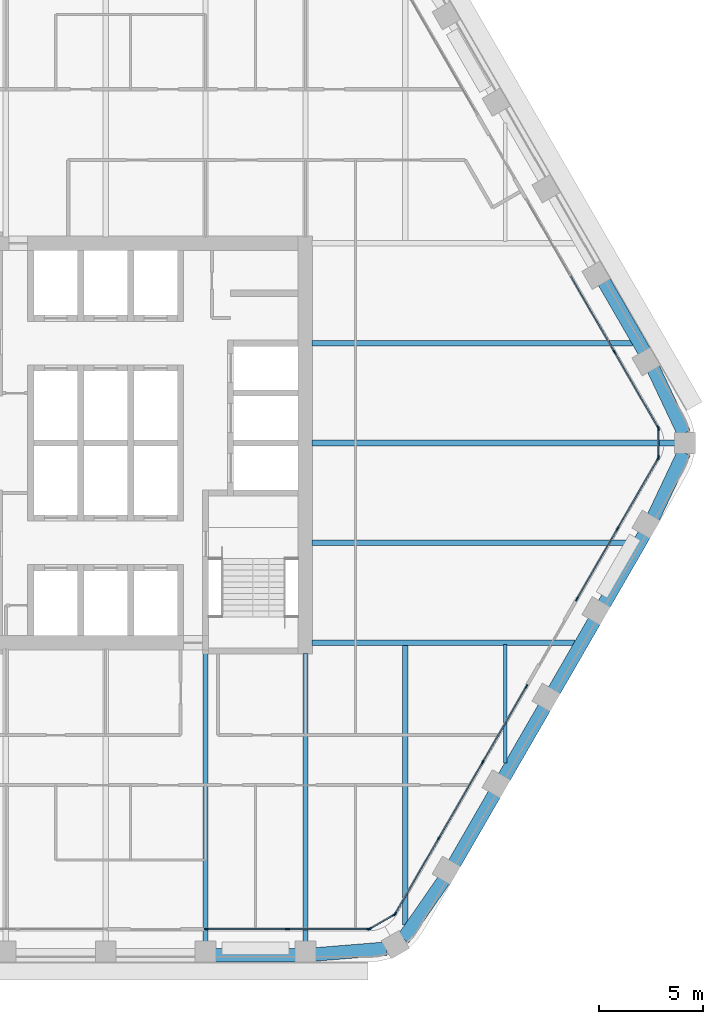
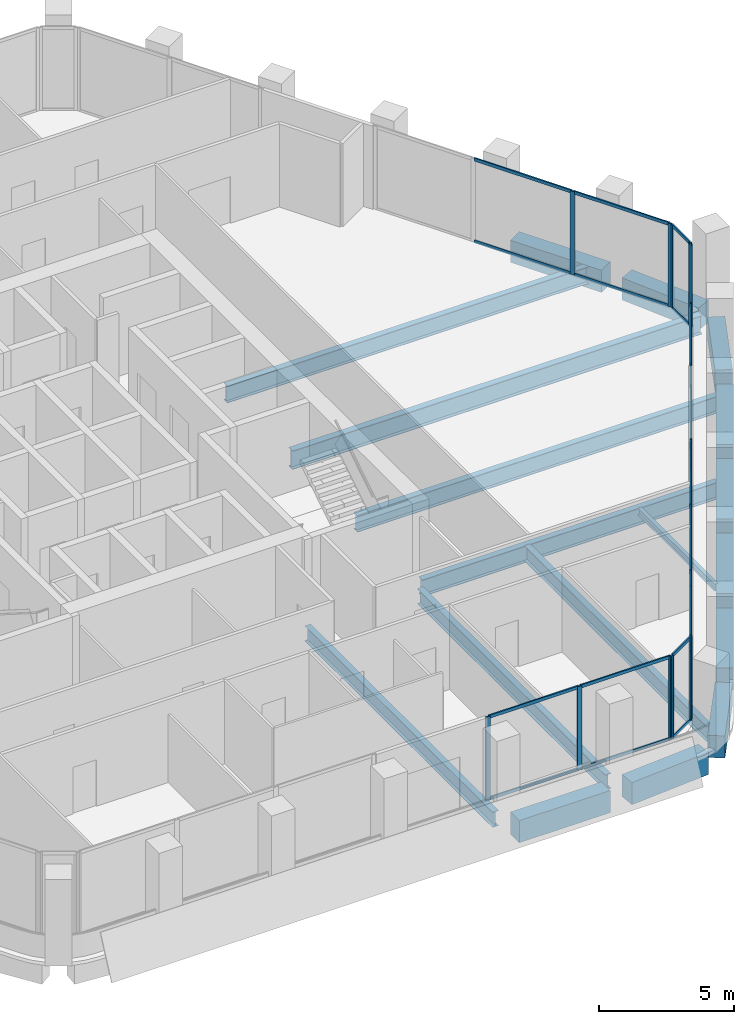
# One storey, part 4 of 15: 38 members, 18 beams, 6 elements without a shape of their own.
"""IFC4 building model written with IfcOpenShell, lengths in metres."""

from ifc_helpers import new_model, si_unit, direction, frame, origin, origin_2d, place, context, subcontext, project, spatial, rectangle, i_section, extrude, material, material_profile, profile_set, type_object, element, aggregate, save


model = new_model("IFC4")

# Units and contexts
model_context = context("Model", 3, precision=1e-05, world=origin(), true_north=direction((0.0, 1.0)))
body_context = subcontext(model_context, "Body", "Model", "MODEL_VIEW")
ifc_project = project(units=[si_unit("LENGTHUNIT", "METRE"), si_unit("AREAUNIT", "SQUARE_METRE"), si_unit("VOLUMEUNIT", "CUBIC_METRE"), si_unit("PLANEANGLEUNIT", "RADIAN"), si_unit("MASSUNIT", "GRAM", prefix="KILO")], contexts=[model_context])

# Site, building, storey
site_placement = place(None, origin())
site = spatial("IfcSite", under=ifc_project, at=site_placement, CompositionType="ELEMENT")
building_placement = place(site_placement, origin())
building = spatial("IfcBuilding", under=site, at=building_placement, Name="Kolab Exchange Tower", CompositionType="ELEMENT")
storey_placement = place(building_placement, frame((0.0, 0.0, 170.0)))
storey = spatial("IfcBuildingStorey", under=building, at=storey_placement, Name="L35", CompositionType="ELEMENT", Elevation=170.0)

# Beams
ifc_material_1 = material(Name="Steel S355", Category="steel")
ifc_material_profile_1 = material_profile(ifc_material_1, i_section(OverallWidth=0.1650390625, OverallDepth=0.31005859375, WebThickness=0.005859375, FlangeThickness=0.009765625, at=origin_2d()), Name="W310X39")
ifc_profile_set_1 = profile_set([ifc_material_profile_1], Name="Steel S355")
beam_type_1 = type_object("IfcBeamType", Name="FLOOR BEAM W310X39", PredefinedType="BEAM", material=ifc_profile_set_1)
beam_1_placement = place(storey_placement, frame((19.199951171875, -15.36767578125, -0.304931640625), z_axis=(0.0, 1.0, 0.0), x_axis=(-1.0, 0.0, 0.0)))
element("IfcBeam", 1, at=beam_1_placement, inside=storey, type_object=beam_type_1, Name="beam/L35/fr/022", PredefinedType="BEAM", context=body_context, shape_type="SweptSolid", body=[
    extrude(i_section(OverallWidth=0.1650390625, OverallDepth=0.31005859375, WebThickness=0.005859375, FlangeThickness=0.009765625, at=origin_2d()), origin(), (0.0, 0.0, 1.0), 5.674072265625),
])
ifc_material_profile_2 = material_profile(ifc_material_1, i_section(OverallWidth=0.25390625, OverallDepth=0.68408203125, WebThickness=0.012451171875, FlangeThickness=0.018798828125, at=origin_2d()), Name="W690X140")
ifc_profile_set_2 = profile_set([ifc_material_profile_2], Name="Steel S355")
beam_type_2 = type_object("IfcBeamType", Name="FLOOR BEAM W690X140", PredefinedType="BEAM", material=ifc_profile_set_2)
for number, where, z_axis, x_axis, name in (
    (2, (4.800048828125, -23.9814453125, -0.491943359375), (0.0, 1.0, 0.0), (-1.0, 0.0, 0.0), "beam/L35/fr/013"),
    (3, (9.60009765625, -23.9814453125, -0.491943359375), (0.0, 1.0, 0.0), (-1.0, 0.0, 0.0), "beam/L35/fr/015"),
):
    element("IfcBeam", number, at=place(storey_placement, frame(where, z_axis=z_axis, x_axis=x_axis)), inside=storey, type_object=beam_type_2, Name=name, PredefinedType="BEAM", context=body_context, shape_type="SweptSolid", body=[
        extrude(i_section(OverallWidth=0.25390625, OverallDepth=0.68408203125, WebThickness=0.012451171875, FlangeThickness=0.018798828125, at=origin_2d()), origin(), (0.0, 0.0, 1.0), 13.871337890625),
    ])
beam_2_placement = place(storey_placement, frame((14.39990234375, -23.15576171875, -0.491943359375), z_axis=(0.0, 1.0, 0.0), x_axis=(-1.0, 0.0, 0.0)))
element("IfcBeam", 4, at=beam_2_placement, inside=storey, type_object=beam_type_2, Name="beam/L35/fr/020", PredefinedType="BEAM", context=body_context, shape_type="SweptSolid", body=[
    extrude(i_section(OverallWidth=0.25390625, OverallDepth=0.68408203125, WebThickness=0.012451171875, FlangeThickness=0.018798828125, at=origin_2d()), origin(), (0.0, 0.0, 1.0), 13.462158203125),
])
ifc_material_profile_3 = material_profile(ifc_material_1, i_section(OverallWidth=0.26708984375, OverallDepth=0.761962890625, WebThickness=0.014404296875, FlangeThickness=0.021484375, at=origin_2d()), Name="W760X173")
ifc_profile_set_3 = profile_set([ifc_material_profile_3], Name="Steel S355")
beam_type_3 = type_object("IfcBeamType", Name="FLOOR BEAM W760X173", PredefinedType="BEAM", material=ifc_profile_set_3)
for number, where, z_axis, x_axis, name in (
    (5, (9.909912109375, -4.800048828125, -0.531005859375), (1.0, 0.0, 0.0), (0.0, 1.0, 0.0), "beam/L35/fr/017"),
    (6, (9.909912109375, 4.800048828125, -0.531005859375), (1.0, 0.0, 0.0), (0.0, 1.0, 0.0), "beam/L35/fr/019"),
):
    element("IfcBeam", number, at=place(storey_placement, frame(where, z_axis=z_axis, x_axis=x_axis)), inside=storey, type_object=beam_type_3, Name=name, PredefinedType="BEAM", context=body_context, shape_type="SweptSolid", body=[
        extrude(i_section(OverallWidth=0.26708984375, OverallDepth=0.761962890625, WebThickness=0.014404296875, FlangeThickness=0.021484375, at=origin_2d()), origin(), (0.0, 0.0, 1.0), 15.408203125),
    ])
ifc_material_profile_4 = material_profile(ifc_material_1, i_section(OverallWidth=0.2919921875, OverallDepth=0.840087890625, WebThickness=0.0146484375, FlangeThickness=0.021728515625, at=origin_2d()), Name="W840X193")
ifc_profile_set_4 = profile_set([ifc_material_profile_4], Name="Steel S355")
beam_type_4 = type_object("IfcBeamType", Name="FLOOR BEAM W840X193", PredefinedType="BEAM", material=ifc_profile_set_4)
beam_3_placement = place(storey_placement, frame((9.909912109375, 0.0, -0.570068359375), z_axis=(1.0, 0.0, 0.0), x_axis=(0.0, 1.0, 0.0)))
element("IfcBeam", 7, at=beam_3_placement, inside=storey, type_object=beam_type_4, Name="beam/L35/fr/018", PredefinedType="BEAM", context=body_context, shape_type="SweptSolid", body=[
    extrude(i_section(OverallWidth=0.2919921875, OverallDepth=0.840087890625, WebThickness=0.0146484375, FlangeThickness=0.021728515625, at=origin_2d()), origin(), (0.0, 0.0, 1.0), 17.466064453125),
])
ifc_material_profile_5 = material_profile(ifc_material_1, i_section(OverallWidth=0.26708984375, OverallDepth=0.761962890625, WebThickness=0.014404296875, FlangeThickness=0.021484375, at=origin_2d()), Name="W760X173")
ifc_profile_set_5 = profile_set([ifc_material_profile_5], Name="Steel S355")
beam_type_5 = type_object("IfcBeamType", Name="FLOOR GIRDER W760X173", PredefinedType="BEAM", material=ifc_profile_set_5)
beam_4_placement = place(storey_placement, frame((9.909912109375, -9.60009765625, -0.531005859375), z_axis=(1.0, 0.0, 0.0), x_axis=(0.0, 1.0, 0.0)))
element("IfcBeam", 8, at=beam_4_placement, inside=storey, type_object=beam_type_5, Name="beam/L35/gd/002", PredefinedType="BEAM", context=body_context, shape_type="SweptSolid", body=[
    extrude(i_section(OverallWidth=0.26708984375, OverallDepth=0.761962890625, WebThickness=0.014404296875, FlangeThickness=0.021484375, at=origin_2d()), origin(), (0.0, 0.0, 1.0), 12.636962890625),
])
ifc_material_2 = material(Name="Concrete C60/75", Category="concrete")
ifc_material_profile_6 = material_profile(ifc_material_2, rectangle(XDim=0.64990234375, YDim=1.0, at=origin_2d()), Name="RC650X1000")
ifc_profile_set_6 = profile_set([ifc_material_profile_6], Name="Concrete C60/75")
beam_type_6 = type_object("IfcBeamType", Name="SPANDREL BEAM 650X1000 C60/75", PredefinedType="BEAM", material=ifc_profile_set_6)
beam_5_placement = place(storey_placement, frame((23.948486328125, 7.7529296875, -0.64990234375), z_axis=(0.499996613652, -0.866027358884, 0.0), x_axis=(0.866027358884, 0.499996613652, 0.0)))
element("IfcBeam", 9, at=beam_5_placement, inside=storey, type_object=beam_type_6, Name="beam/L35/sp/F2-05", PredefinedType="BEAM", context=body_context, shape_type="SweptSolid", body=[
    extrude(rectangle(XDim=0.64990234375, YDim=1.0, at=origin_2d()), origin(), (0.0, 0.0, 1.0), 3.8798828125),
])
for number, where, z_axis, x_axis, name in (
    (10, (26.316162109375, 3.5771484375, -0.64990234375), (0.428177731975, -0.903694544545, 0.0), (0.903694544545, 0.428177731975, 0.0), "beam/L35/sp/F2-06"),
    (11, (27.791259765625, -0.4638671875, -0.64990234375), (-0.428177731975, -0.903694544545, 0.0), (0.903694544545, -0.428177731975, 0.0), "beam/L35/sp/F3-01"),
):
    element("IfcBeam", number, at=place(storey_placement, frame(where, z_axis=z_axis, x_axis=x_axis)), inside=storey, type_object=beam_type_6, Name=name, PredefinedType="BEAM", context=body_context, shape_type="SweptSolid", body=[
        extrude(rectangle(XDim=0.64990234375, YDim=1.0, at=origin_2d()), origin(), (0.0, 0.0, 1.0), 3.445068359375),
    ])
for number, where, z_axis, x_axis, name in (
    (12, (25.888427734375, -4.392822265625, -0.64990234375), (-0.499996613652, -0.866027358884, 0.0), (0.866027358884, -0.499996613652, 0.0), "beam/L35/sp/F3-02"),
    (13, (23.488525390625, -8.5498046875, -0.64990234375), (-0.499996613652, -0.866027358884, 0.0), (0.866027358884, -0.499996613652, 0.0), "beam/L35/sp/F3-03"),
):
    element("IfcBeam", number, at=place(storey_placement, frame(where, z_axis=z_axis, x_axis=x_axis)), inside=storey, type_object=beam_type_6, Name=name, PredefinedType="BEAM", context=body_context, shape_type="SweptSolid", body=[
        extrude(rectangle(XDim=0.64990234375, YDim=1.0, at=origin_2d()), origin(), (0.0, 0.0, 1.0), 3.8798828125),
    ])
beam_6_placement = place(storey_placement, frame((21.088623046875, -12.70654296875, -0.64990234375), z_axis=(-0.50001655835, -0.866015843605, 0.0), x_axis=(0.866015843605, -0.50001655835, 0.0)))
element("IfcBeam", 14, at=beam_6_placement, inside=storey, type_object=beam_type_6, Name="beam/L35/sp/F3-04", PredefinedType="BEAM", context=body_context, shape_type="SweptSolid", body=[
    extrude(rectangle(XDim=0.64990234375, YDim=1.0, at=origin_2d()), origin(), (0.0, 0.0, 1.0), 3.880126953125),
])
beam_7_placement = place(storey_placement, frame((18.6884765625, -16.863525390625, -0.64990234375), z_axis=(-0.499996613652, -0.866027358884, 0.0), x_axis=(0.866027358884, -0.499996613652, 0.0)))
element("IfcBeam", 15, at=beam_7_placement, inside=storey, type_object=beam_type_6, Name="beam/L35/sp/F3-05", PredefinedType="BEAM", context=body_context, shape_type="SweptSolid", body=[
    extrude(rectangle(XDim=0.64990234375, YDim=1.0, at=origin_2d()), origin(), (0.0, 0.0, 1.0), 3.8798828125),
])
for number, where, z_axis, x_axis, name in (
    (16, (16.256103515625, -21.001953125, -0.64990234375), (-0.568572281073, -0.822633309073, 0.0), (0.822633309073, -0.568572281073, 0.0), "beam/L35/sp/F3-06"),
    (17, (13.493896484375, -24.2998046875, -0.64990234375), (-0.996708497182, -0.081068931445, 0.0), (0.081068931445, -0.996708497182, 0.0), "beam/L35/sp/F4-01"),
):
    element("IfcBeam", number, at=place(storey_placement, frame(where, z_axis=z_axis, x_axis=x_axis)), inside=storey, type_object=beam_type_6, Name=name, PredefinedType="BEAM", context=body_context, shape_type="SweptSolid", body=[
        extrude(rectangle(XDim=0.64990234375, YDim=1.0, at=origin_2d()), origin(), (0.0, 0.0, 1.0), 3.445068359375),
    ])
beam_8_placement = place(storey_placement, frame((9.139892578125, -24.616455078125, -0.64990234375), z_axis=(-1.0, 0.0, 0.0), x_axis=(0.0, -1.0, 0.0)))
element("IfcBeam", 18, at=beam_8_placement, inside=storey, type_object=beam_type_6, Name="beam/L35/sp/F4-02", PredefinedType="BEAM", context=body_context, shape_type="SweptSolid", body=[
    extrude(rectangle(XDim=0.64990234375, YDim=1.0, at=origin_2d()), origin(), (0.0, 0.0, 1.0), 3.8798828125),
])

# Curtain wall, members
ifc_material_3 = material(Name="Aluminium EN AW-6063 T6", Category="aluminium")
curtain_wall_type = type_object("IfcCurtainWallType", Name="UNITISED UPPER MID ZONE CURTAIN WALL", PredefinedType="NOTDEFINED", material=ifc_material_3)
curtain_wall_1_placement = place(storey_placement, origin())
curtain_wall_1 = element("IfcCurtainWall", 19, at=curtain_wall_1_placement, inside=storey, type_object=curtain_wall_type, Name="cw/L35/F2-2", PredefinedType="NOTDEFINED")
ifc_material_profile_7 = material_profile(ifc_material_3, rectangle(XDim=0.06005859375, YDim=0.199951171875, at=origin_2d()), Name="RECT 60X200")
ifc_profile_set_7 = profile_set([ifc_material_profile_7], Name="Aluminium EN AW-6063 T6")
member_type_1 = type_object("IfcMemberType", Name="UNITISED UPPER MID ZONE MULLION 60 X 200", PredefinedType="MULLION", material=ifc_profile_set_7)
member_1_placement = place(storey_placement, frame((24.454345703125, 4.366943359375, 0.0), z_axis=(0.0, 0.0, 1.0), x_axis=(0.866025427826, 0.499999958358, 0.0)))
member_1 = element("IfcMember", 20, at=member_1_placement, type_object=member_type_1, Name="CW3 mullion 3", PredefinedType="MULLION", context=body_context, shape_type="SweptSolid", body=[
    extrude(rectangle(XDim=0.06005859375, YDim=0.199951171875, at=origin_2d()), origin(), (0.0, 0.0, 1.0), 3.75),
])
member_2_placement = place(storey_placement, frame((26.550537109375, 0.736083984375, 0.0), z_axis=(0.0, 0.0, 1.0), x_axis=(0.866025427826, 0.499999958358, 0.0)))
member_2 = element("IfcMember", 21, at=member_2_placement, type_object=member_type_1, Name="CW3 mullion 4", PredefinedType="MULLION", context=body_context, shape_type="SweptSolid", body=[
    extrude(rectangle(XDim=0.06005859375, YDim=0.199951171875, at=origin_2d()), origin(), (0.0, 0.0, 1.0), 3.75),
])

curtain_wall_2_placement = place(storey_placement, origin())
curtain_wall_2 = element("IfcCurtainWall", 22, at=curtain_wall_2_placement, inside=storey, type_object=curtain_wall_type, Name="cw/L35/F3-1", PredefinedType="NOTDEFINED")
member_3_placement = place(storey_placement, frame((26.550537109375, -0.736083984375, 0.0), z_axis=(0.0, 0.0, 1.0), x_axis=(0.866025440524, -0.499999936366, 0.0)))
member_3 = element("IfcMember", 23, at=member_3_placement, type_object=member_type_1, Name="CW3 mullion 1", PredefinedType="MULLION", context=body_context, shape_type="SweptSolid", body=[
    extrude(rectangle(XDim=0.06005859375, YDim=0.199951171875, at=origin_2d()), origin(), (0.0, 0.0, 1.0), 3.75),
])
member_4_placement = place(storey_placement, frame((24.5986328125, -4.116943359375, 0.0), z_axis=(0.0, 0.0, 1.0), x_axis=(0.866025440524, -0.499999936366, 0.0)))
member_4 = element("IfcMember", 24, at=member_4_placement, type_object=member_type_1, Name="CW3 mullion 2", PredefinedType="MULLION", context=body_context, shape_type="SweptSolid", body=[
    extrude(rectangle(XDim=0.06005859375, YDim=0.199951171875, at=origin_2d()), origin(), (0.0, 0.0, 1.0), 3.75),
])
member_5_placement = place(storey_placement, frame((22.646728515625, -7.497802734375, 0.0), z_axis=(0.0, 0.0, 1.0), x_axis=(0.866025440524, -0.499999936366, 0.0)))
member_5 = element("IfcMember", 25, at=member_5_placement, type_object=member_type_1, Name="CW3 mullion 3", PredefinedType="MULLION", context=body_context, shape_type="SweptSolid", body=[
    extrude(rectangle(XDim=0.06005859375, YDim=0.199951171875, at=origin_2d()), origin(), (0.0, 0.0, 1.0), 3.75),
])

curtain_wall_3_placement = place(storey_placement, origin())
curtain_wall_3 = element("IfcCurtainWall", 26, at=curtain_wall_3_placement, inside=storey, type_object=curtain_wall_type, Name="cw/L35/F3-2", PredefinedType="NOTDEFINED")
member_6_placement = place(storey_placement, frame((20.216796875, -11.706787109375, 0.0), z_axis=(0.0, 0.0, 1.0), x_axis=(0.866025393644, -0.500000017564, 0.0)))
member_6 = element("IfcMember", 27, at=member_6_placement, type_object=member_type_1, Name="CW3 mullion 1", PredefinedType="MULLION", context=body_context, shape_type="SweptSolid", body=[
    extrude(rectangle(XDim=0.06005859375, YDim=0.199951171875, at=origin_2d()), origin(), (0.0, 0.0, 1.0), 3.75),
])
member_7_placement = place(storey_placement, frame((18.120361328125, -15.337646484375, 0.0), z_axis=(0.0, 0.0, 1.0), x_axis=(0.866025393644, -0.500000017564, 0.0)))
member_7 = element("IfcMember", 28, at=member_7_placement, type_object=member_type_1, Name="CW3 mullion 2", PredefinedType="MULLION", context=body_context, shape_type="SweptSolid", body=[
    extrude(rectangle(XDim=0.06005859375, YDim=0.199951171875, at=origin_2d()), origin(), (0.0, 0.0, 1.0), 3.75),
])
member_8_placement = place(storey_placement, frame((16.009033203125, -18.99462890625, 0.0), z_axis=(0.0, 0.0, 1.0), x_axis=(0.866025393644, -0.500000017564, 0.0)))
member_8 = element("IfcMember", 29, at=member_8_placement, type_object=member_type_1, Name="CW3 mullion 3", PredefinedType="MULLION", context=body_context, shape_type="SweptSolid", body=[
    extrude(rectangle(XDim=0.06005859375, YDim=0.199951171875, at=origin_2d()), origin(), (0.0, 0.0, 1.0), 3.75),
])
member_9_placement = place(storey_placement, frame((13.91259765625, -22.62548828125, 0.0), z_axis=(0.0, 0.0, 1.0), x_axis=(0.866025393644, -0.500000017564, 0.0)))
member_9 = element("IfcMember", 30, at=member_9_placement, type_object=member_type_1, Name="CW3 mullion 4", PredefinedType="MULLION", context=body_context, shape_type="SweptSolid", body=[
    extrude(rectangle(XDim=0.06005859375, YDim=0.199951171875, at=origin_2d()), origin(), (0.0, 0.0, 1.0), 3.75),
])

curtain_wall_4_placement = place(storey_placement, origin())
curtain_wall_4 = element("IfcCurtainWall", 31, at=curtain_wall_4_placement, inside=storey, type_object=curtain_wall_type, Name="cw/L35/F4-1", PredefinedType="NOTDEFINED")
member_10_placement = place(storey_placement, frame((12.637939453125, -23.361572265625, 0.0), z_axis=(0.0, 0.0, 1.0), x_axis=(0.0, -1.0, 0.0)))
member_10 = element("IfcMember", 32, at=member_10_placement, type_object=member_type_1, Name="CW3 mullion 1", PredefinedType="MULLION", context=body_context, shape_type="SweptSolid", body=[
    extrude(rectangle(XDim=0.06005859375, YDim=0.199951171875, at=origin_2d()), origin(), (0.0, 0.0, 1.0), 3.75),
])
member_11_placement = place(storey_placement, frame((8.73388671875, -23.361572265625, 0.0), z_axis=(0.0, 0.0, 1.0), x_axis=(0.0, -1.0, 0.0)))
member_11 = element("IfcMember", 33, at=member_11_placement, type_object=member_type_1, Name="CW3 mullion 2", PredefinedType="MULLION", context=body_context, shape_type="SweptSolid", body=[
    extrude(rectangle(XDim=0.06005859375, YDim=0.199951171875, at=origin_2d()), origin(), (0.0, 0.0, 1.0), 3.75),
])
member_12_placement = place(storey_placement, frame((4.830078125, -23.361572265625, 0.0), z_axis=(0.0, 0.0, 1.0), x_axis=(0.0, -1.0, 0.0)))
member_12 = element("IfcMember", 34, at=member_12_placement, type_object=member_type_1, Name="CW3 mullion 3", PredefinedType="MULLION", context=body_context, shape_type="SweptSolid", body=[
    extrude(rectangle(XDim=0.06005859375, YDim=0.199951171875, at=origin_2d()), origin(), (0.0, 0.0, 1.0), 3.75),
])

curtain_wall_5_placement = place(storey_placement, origin())
curtain_wall_5 = element("IfcCurtainWall", 35, at=curtain_wall_5_placement, inside=storey, type_object=curtain_wall_type, Name="cw/L35/F2F3-corner", PredefinedType="NOTDEFINED")
member_13_placement = place(storey_placement, frame((26.565673828125, 0.679931640625, 0.0), z_axis=(0.0, 0.0, 1.0), x_axis=(1.0, 0.0, 0.0)))
member_13 = element("IfcMember", 36, at=member_13_placement, type_object=member_type_1, Name="CW3 mullion 1", PredefinedType="MULLION", context=body_context, shape_type="SweptSolid", body=[
    extrude(rectangle(XDim=0.06005859375, YDim=0.199951171875, at=origin_2d()), origin(), (0.0, 0.0, 1.0), 3.75),
])
member_14_placement = place(storey_placement, frame((26.565673828125, -0.679931640625, 0.0), z_axis=(0.0, 0.0, 1.0), x_axis=(1.0, 0.0, 0.0)))
member_14 = element("IfcMember", 37, at=member_14_placement, type_object=member_type_1, Name="CW3 mullion 2", PredefinedType="MULLION", context=body_context, shape_type="SweptSolid", body=[
    extrude(rectangle(XDim=0.06005859375, YDim=0.199951171875, at=origin_2d()), origin(), (0.0, 0.0, 1.0), 3.75),
])

curtain_wall_6_placement = place(storey_placement, origin())
curtain_wall_6 = element("IfcCurtainWall", 38, at=curtain_wall_6_placement, inside=storey, type_object=curtain_wall_type, Name="cw/L35/F3F4-corner", PredefinedType="NOTDEFINED")
member_15_placement = place(storey_placement, frame((13.871826171875, -22.66650390625, 0.0), z_axis=(0.0, 0.0, 1.0), x_axis=(0.50000002237, -0.866025390869, 0.0)))
member_15 = element("IfcMember", 39, at=member_15_placement, type_object=member_type_1, Name="CW3 mullion 1", PredefinedType="MULLION", context=body_context, shape_type="SweptSolid", body=[
    extrude(rectangle(XDim=0.06005859375, YDim=0.199951171875, at=origin_2d()), origin(), (0.0, 0.0, 1.0), 3.75),
])
member_16_placement = place(storey_placement, frame((12.69384765625, -23.346435546875, 0.0), z_axis=(0.0, 0.0, 1.0), x_axis=(0.50000002237, -0.866025390869, 0.0)))
member_16 = element("IfcMember", 40, at=member_16_placement, type_object=member_type_1, Name="CW3 mullion 2", PredefinedType="MULLION", context=body_context, shape_type="SweptSolid", body=[
    extrude(rectangle(XDim=0.06005859375, YDim=0.199951171875, at=origin_2d()), origin(), (0.0, 0.0, 1.0), 3.75),
])

# Member
ifc_material_profile_8 = material_profile(ifc_material_3, rectangle(XDim=0.06005859375, YDim=0.139892578125, at=origin_2d()), Name="RECT 60X140")
ifc_profile_set_8 = profile_set([ifc_material_profile_8], Name="Aluminium EN AW-6063 T6")
member_type_2 = type_object("IfcMemberType", Name="UNITISED UPPER MID ZONE TRANSOM 60 X 140", PredefinedType="USERDEFINED", material=ifc_profile_set_8)
member_17_placement = place(storey_placement, frame((22.35791015625, 7.997802734375, 0.030029296875), z_axis=(0.49999322259, -0.866029316688, 0.0), x_axis=(0.866029316688, 0.49999322259, 0.0)))
member_17 = element("IfcMember", 41, at=member_17_placement, type_object=member_type_2, Name="CW3 transom 2.1", ObjectType="TRANSOM", PredefinedType="USERDEFINED", context=body_context, shape_type="SweptSolid", body=[
    extrude(rectangle(XDim=0.06005859375, YDim=0.139892578125, at=origin_2d()), origin(), (0.0, 0.0, 1.0), 4.16259765625),
])

member_18_placement = place(storey_placement, frame((22.35791015625, 7.997802734375, 3.719970703125), z_axis=(0.49999322259, -0.866029316688, 0.0), x_axis=(0.866029316688, 0.49999322259, 0.0)))
member_18 = element("IfcMember", 42, at=member_18_placement, type_object=member_type_2, Name="CW3 transom 2.2", ObjectType="TRANSOM", PredefinedType="USERDEFINED", context=body_context, shape_type="SweptSolid", body=[
    extrude(rectangle(XDim=0.06005859375, YDim=0.139892578125, at=origin_2d()), origin(), (0.0, 0.0, 1.0), 4.16259765625),
])

member_19_placement = place(storey_placement, frame((24.46923828125, 4.3408203125, 0.030029296875), z_axis=(0.500027577057, -0.866009481578, 0.0), x_axis=(0.866009481578, 0.500027577057, 0.0)))
member_19 = element("IfcMember", 43, at=member_19_placement, type_object=member_type_2, Name="CW3 transom 3.1", ObjectType="TRANSOM", PredefinedType="USERDEFINED", context=body_context, shape_type="SweptSolid", body=[
    extrude(rectangle(XDim=0.06005859375, YDim=0.139892578125, at=origin_2d()), origin(), (0.0, 0.0, 1.0), 4.132568359375),
])

member_20_placement = place(storey_placement, frame((24.46923828125, 4.3408203125, 3.719970703125), z_axis=(0.500027577057, -0.866009481578, 0.0), x_axis=(0.866009481578, 0.500027577057, 0.0)))
member_20 = element("IfcMember", 44, at=member_20_placement, type_object=member_type_2, Name="CW3 transom 3.2", ObjectType="TRANSOM", PredefinedType="USERDEFINED", context=body_context, shape_type="SweptSolid", body=[
    extrude(rectangle(XDim=0.06005859375, YDim=0.139892578125, at=origin_2d()), origin(), (0.0, 0.0, 1.0), 4.132568359375),
])

aggregate(curtain_wall_1, [member_1, member_2, member_17, member_18, member_19, member_20])

member_21_placement = place(storey_placement, frame((26.53564453125, -0.761962890625, 0.030029296875), z_axis=(-0.499991857942, -0.866030104553, 0.0), x_axis=(0.866030104553, -0.499991857942, 0.0)))
member_21 = element("IfcMember", 45, at=member_21_placement, type_object=member_type_2, Name="CW3 transom 1.1", ObjectType="TRANSOM", PredefinedType="USERDEFINED", context=body_context, shape_type="SweptSolid", body=[
    extrude(rectangle(XDim=0.06005859375, YDim=0.139892578125, at=origin_2d()), origin(), (0.0, 0.0, 1.0), 3.84375),
])

member_22_placement = place(storey_placement, frame((26.53564453125, -0.761962890625, 3.719970703125), z_axis=(-0.499991857942, -0.866030104553, 0.0), x_axis=(0.866030104553, -0.499991857942, 0.0)))
member_22 = element("IfcMember", 46, at=member_22_placement, type_object=member_type_2, Name="CW3 transom 1.2", ObjectType="TRANSOM", PredefinedType="USERDEFINED", context=body_context, shape_type="SweptSolid", body=[
    extrude(rectangle(XDim=0.06005859375, YDim=0.139892578125, at=origin_2d()), origin(), (0.0, 0.0, 1.0), 3.84375),
])

member_23_placement = place(storey_placement, frame((24.583740234375, -4.142822265625, 0.030029296875), z_axis=(-0.500011990396, -0.866018481016, 0.0), x_axis=(0.866018481016, -0.500011990396, 0.0)))
member_23 = element("IfcMember", 47, at=member_23_placement, type_object=member_type_2, Name="CW3 transom 2.1", ObjectType="TRANSOM", PredefinedType="USERDEFINED", context=body_context, shape_type="SweptSolid", body=[
    extrude(rectangle(XDim=0.06005859375, YDim=0.139892578125, at=origin_2d()), origin(), (0.0, 0.0, 1.0), 3.84423828125),
])

member_24_placement = place(storey_placement, frame((24.583740234375, -4.142822265625, 3.719970703125), z_axis=(-0.500011990396, -0.866018481016, 0.0), x_axis=(0.866018481016, -0.500011990396, 0.0)))
member_24 = element("IfcMember", 48, at=member_24_placement, type_object=member_type_2, Name="CW3 transom 2.2", ObjectType="TRANSOM", PredefinedType="USERDEFINED", context=body_context, shape_type="SweptSolid", body=[
    extrude(rectangle(XDim=0.06005859375, YDim=0.139892578125, at=origin_2d()), origin(), (0.0, 0.0, 1.0), 3.84423828125),
])

aggregate(curtain_wall_2, [member_3, member_4, member_5, member_21, member_22, member_23, member_24])

member_25_placement = place(storey_placement, frame((20.20166015625, -11.732666015625, 0.030029296875), z_axis=(-0.500001996123, -0.866024251319, 0.0), x_axis=(0.866024251319, -0.500001996123, 0.0)))
member_25 = element("IfcMember", 49, at=member_25_placement, type_object=member_type_2, Name="CW3 transom 1.1", ObjectType="TRANSOM", PredefinedType="USERDEFINED", context=body_context, shape_type="SweptSolid", body=[
    extrude(rectangle(XDim=0.06005859375, YDim=0.139892578125, at=origin_2d()), origin(), (0.0, 0.0, 1.0), 4.1328125),
])

member_26_placement = place(storey_placement, frame((20.20166015625, -11.732666015625, 3.719970703125), z_axis=(-0.500001996123, -0.866024251319, 0.0), x_axis=(0.866024251319, -0.500001996123, 0.0)))
member_26 = element("IfcMember", 50, at=member_26_placement, type_object=member_type_2, Name="CW3 transom 1.2", ObjectType="TRANSOM", PredefinedType="USERDEFINED", context=body_context, shape_type="SweptSolid", body=[
    extrude(rectangle(XDim=0.06005859375, YDim=0.139892578125, at=origin_2d()), origin(), (0.0, 0.0, 1.0), 4.1328125),
])

member_27_placement = place(storey_placement, frame((18.10546875, -15.36376953125, 0.030029296875), z_axis=(-0.500037208726, -0.86600392025, 0.0), x_axis=(0.86600392025, -0.500037208726, 0.0)))
member_27 = element("IfcMember", 51, at=member_27_placement, type_object=member_type_2, Name="CW3 transom 2.1", ObjectType="TRANSOM", PredefinedType="USERDEFINED", context=body_context, shape_type="SweptSolid", body=[
    extrude(rectangle(XDim=0.06005859375, YDim=0.139892578125, at=origin_2d()), origin(), (0.0, 0.0, 1.0), 4.162841796875),
])

member_28_placement = place(storey_placement, frame((18.10546875, -15.36376953125, 3.719970703125), z_axis=(-0.500037208726, -0.86600392025, 0.0), x_axis=(0.86600392025, -0.500037208726, 0.0)))
member_28 = element("IfcMember", 52, at=member_28_placement, type_object=member_type_2, Name="CW3 transom 2.2", ObjectType="TRANSOM", PredefinedType="USERDEFINED", context=body_context, shape_type="SweptSolid", body=[
    extrude(rectangle(XDim=0.06005859375, YDim=0.139892578125, at=origin_2d()), origin(), (0.0, 0.0, 1.0), 4.162841796875),
])

member_29_placement = place(storey_placement, frame((15.994140625, -19.0205078125, 0.030029296875), z_axis=(-0.500001996123, -0.866024251319, 0.0), x_axis=(0.866024251319, -0.500001996123, 0.0)))
member_29 = element("IfcMember", 53, at=member_29_placement, type_object=member_type_2, Name="CW3 transom 3.1", ObjectType="TRANSOM", PredefinedType="USERDEFINED", context=body_context, shape_type="SweptSolid", body=[
    extrude(rectangle(XDim=0.06005859375, YDim=0.139892578125, at=origin_2d()), origin(), (0.0, 0.0, 1.0), 4.1328125),
])

member_30_placement = place(storey_placement, frame((15.994140625, -19.0205078125, 3.719970703125), z_axis=(-0.500001996123, -0.866024251319, 0.0), x_axis=(0.866024251319, -0.500001996123, 0.0)))
member_30 = element("IfcMember", 54, at=member_30_placement, type_object=member_type_2, Name="CW3 transom 3.2", ObjectType="TRANSOM", PredefinedType="USERDEFINED", context=body_context, shape_type="SweptSolid", body=[
    extrude(rectangle(XDim=0.06005859375, YDim=0.139892578125, at=origin_2d()), origin(), (0.0, 0.0, 1.0), 4.1328125),
])

aggregate(curtain_wall_3, [member_6, member_7, member_8, member_9, member_25, member_26, member_27, member_28, member_29, member_30])

member_31_placement = place(storey_placement, frame((12.60791015625, -23.361572265625, 0.030029296875), z_axis=(-1.0, 0.0, 0.0), x_axis=(0.0, -1.0, 0.0)))
member_31 = element("IfcMember", 55, at=member_31_placement, type_object=member_type_2, Name="CW3 transom 1.1", ObjectType="TRANSOM", PredefinedType="USERDEFINED", context=body_context, shape_type="SweptSolid", body=[
    extrude(rectangle(XDim=0.06005859375, YDim=0.139892578125, at=origin_2d()), origin(), (0.0, 0.0, 1.0), 3.843994140625),
])

member_32_placement = place(storey_placement, frame((12.60791015625, -23.361572265625, 3.719970703125), z_axis=(-1.0, 0.0, 0.0), x_axis=(0.0, -1.0, 0.0)))
member_32 = element("IfcMember", 56, at=member_32_placement, type_object=member_type_2, Name="CW3 transom 1.2", ObjectType="TRANSOM", PredefinedType="USERDEFINED", context=body_context, shape_type="SweptSolid", body=[
    extrude(rectangle(XDim=0.06005859375, YDim=0.139892578125, at=origin_2d()), origin(), (0.0, 0.0, 1.0), 3.843994140625),
])

member_33_placement = place(storey_placement, frame((8.703857421875, -23.361572265625, 0.030029296875), z_axis=(-1.0, 0.0, 0.0), x_axis=(0.0, -1.0, 0.0)))
member_33 = element("IfcMember", 57, at=member_33_placement, type_object=member_type_2, Name="CW3 transom 2.1", ObjectType="TRANSOM", PredefinedType="USERDEFINED", context=body_context, shape_type="SweptSolid", body=[
    extrude(rectangle(XDim=0.06005859375, YDim=0.139892578125, at=origin_2d()), origin(), (0.0, 0.0, 1.0), 3.84375),
])

member_34_placement = place(storey_placement, frame((8.703857421875, -23.361572265625, 3.719970703125), z_axis=(-1.0, 0.0, 0.0), x_axis=(0.0, -1.0, 0.0)))
member_34 = element("IfcMember", 58, at=member_34_placement, type_object=member_type_2, Name="CW3 transom 2.2", ObjectType="TRANSOM", PredefinedType="USERDEFINED", context=body_context, shape_type="SweptSolid", body=[
    extrude(rectangle(XDim=0.06005859375, YDim=0.139892578125, at=origin_2d()), origin(), (0.0, 0.0, 1.0), 3.84375),
])

aggregate(curtain_wall_4, [member_10, member_11, member_12, member_31, member_32, member_33, member_34])

member_35_placement = place(storey_placement, frame((26.565673828125, 0.64990234375, 0.030029296875), z_axis=(0.0, -1.0, 0.0), x_axis=(1.0, 0.0, 0.0)))
member_35 = element("IfcMember", 59, at=member_35_placement, type_object=member_type_2, Name="CW3 transom 1.1", ObjectType="TRANSOM", PredefinedType="USERDEFINED", context=body_context, shape_type="SweptSolid", body=[
    extrude(rectangle(XDim=0.06005859375, YDim=0.139892578125, at=origin_2d()), origin(), (0.0, 0.0, 1.0), 1.2998046875),
])

member_36_placement = place(storey_placement, frame((26.565673828125, 0.64990234375, 3.719970703125), z_axis=(0.0, -1.0, 0.0), x_axis=(1.0, 0.0, 0.0)))
member_36 = element("IfcMember", 60, at=member_36_placement, type_object=member_type_2, Name="CW3 transom 1.2", ObjectType="TRANSOM", PredefinedType="USERDEFINED", context=body_context, shape_type="SweptSolid", body=[
    extrude(rectangle(XDim=0.06005859375, YDim=0.139892578125, at=origin_2d()), origin(), (0.0, 0.0, 1.0), 1.2998046875),
])

aggregate(curtain_wall_5, [member_13, member_14, member_35, member_36])

member_37_placement = place(storey_placement, frame((13.845703125, -22.681640625, 0.030029296875), z_axis=(-0.86603858612, -0.49997716683, 0.0), x_axis=(0.49997716683, -0.86603858612, 0.0)))
member_37 = element("IfcMember", 61, at=member_37_placement, type_object=member_type_2, Name="CW3 transom 1.1", ObjectType="TRANSOM", PredefinedType="USERDEFINED", context=body_context, shape_type="SweptSolid", body=[
    extrude(rectangle(XDim=0.06005859375, YDim=0.139892578125, at=origin_2d()), origin(), (0.0, 0.0, 1.0), 1.2998046875),
])

member_38_placement = place(storey_placement, frame((13.845703125, -22.681640625, 3.719970703125), z_axis=(-0.86603858612, -0.49997716683, 0.0), x_axis=(0.49997716683, -0.86603858612, 0.0)))
member_38 = element("IfcMember", 62, at=member_38_placement, type_object=member_type_2, Name="CW3 transom 1.2", ObjectType="TRANSOM", PredefinedType="USERDEFINED", context=body_context, shape_type="SweptSolid", body=[
    extrude(rectangle(XDim=0.06005859375, YDim=0.139892578125, at=origin_2d()), origin(), (0.0, 0.0, 1.0), 1.2998046875),
])

aggregate(curtain_wall_6, [member_15, member_16, member_37, member_38])

save(model, "model.ifc")
